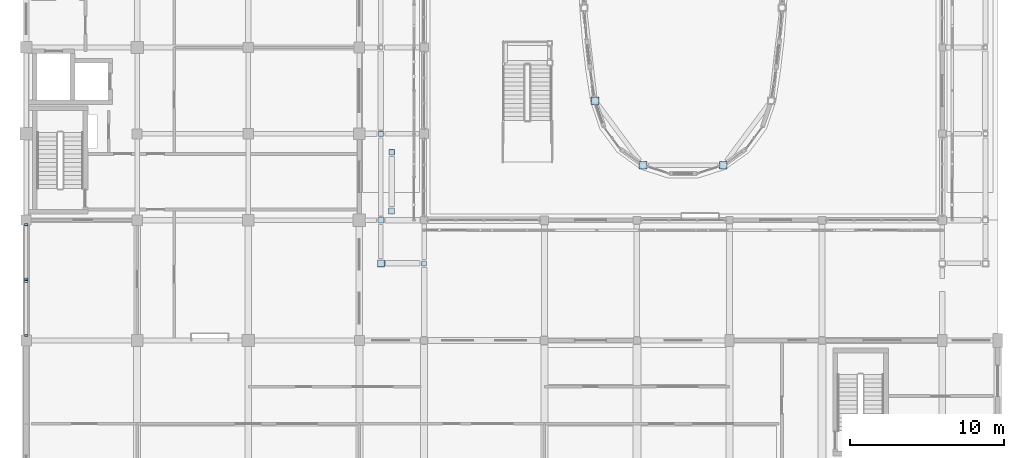
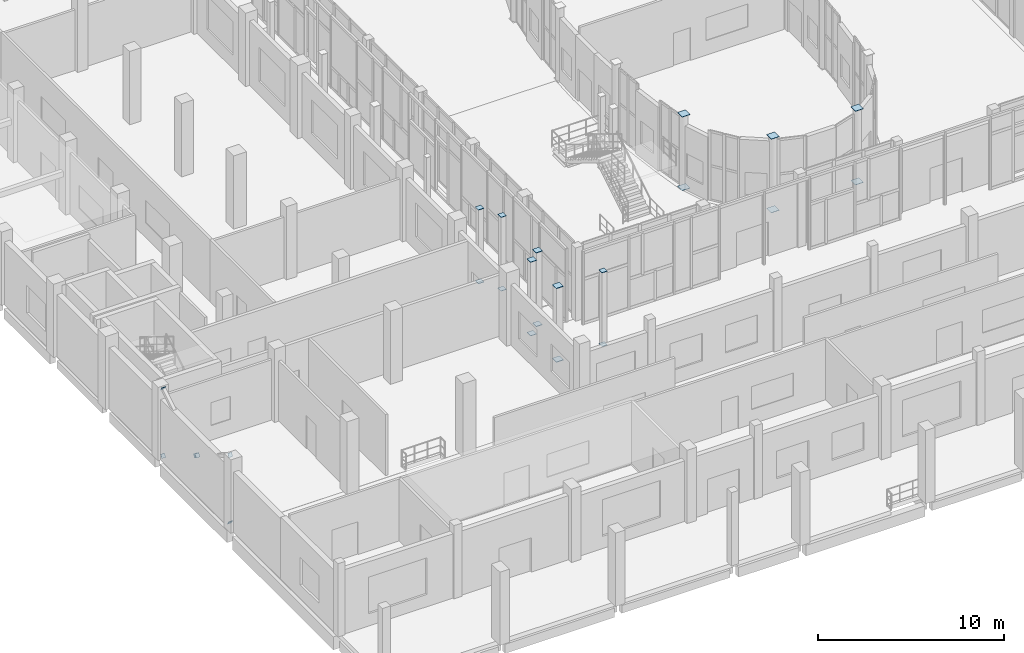
# One storey, part 59 of 91: 24 plates.
"""IFC4 building model written with IfcOpenShell, lengths in metres."""

from ifc_helpers import new_model, si_unit, direction, frame, origin, origin_2d, place, context, subcontext, project, spatial, rectangle, extrude, material, material_profile, profile_set, type_object, element, save


model = new_model("IFC4")

# Units and contexts
model_context = context("Model", 3, precision=1e-05, world=origin(), true_north=direction((0.0, 1.0)))
body_context = subcontext(model_context, "Body", "Model", "MODEL_VIEW")
ifc_project = project(units=[si_unit("LENGTHUNIT", "METRE"), si_unit("AREAUNIT", "SQUARE_METRE"), si_unit("VOLUMEUNIT", "CUBIC_METRE"), si_unit("PLANEANGLEUNIT", "RADIAN"), si_unit("MASSUNIT", "GRAM", prefix="KILO")], contexts=[model_context])

# Site, building, storey
site_placement = place(None, origin())
site = spatial("IfcSite", under=ifc_project, at=site_placement, CompositionType="ELEMENT")
building_placement = place(site_placement, origin())
building = spatial("IfcBuilding", under=site, at=building_placement, Name="Vinh Khe Railworks Police Headquarters", CompositionType="ELEMENT")
storey_placement = place(building_placement, origin())
storey = spatial("IfcBuildingStorey", under=building, at=storey_placement, Name="L00", CompositionType="ELEMENT", Elevation=0.0)

# Plates
ifc_material = material(Name="Steel S355JR", Category="steel")
ifc_material_profile_1 = material_profile(ifc_material, rectangle(XDim=0.239990234375, YDim=0.239990234375, at=origin_2d()), Name="PL 240x240")
ifc_profile_set_1 = profile_set([ifc_material_profile_1], Name="Steel S355JR")
plate_type_1 = type_object("IfcPlateType", Name="Steel End-Cap Plate 240x240x24", PredefinedType="SHEET", material=ifc_profile_set_1)
for number, where, z_axis, x_axis, name in (
    (1, (0.60009765625, 17.72998046875, 0.199951171875), (0.0, -0.854787515222, -0.518978134242), (1.0, 0.0, 0.0), "End-Cap Gusset Plate PLT-EP-0013"),
    (2, (0.60009765625, 17.72998046875, 4.60009765625), (0.0, -0.854787515222, 0.518978134242), (1.0, 0.0, 0.0), "End-Cap Gusset Plate PLT-EP-0014"),
    (3, (0.60009765625, 21.223876953125, 2.454345703125), (0.0, 0.854787515222, -0.518978134242), (-1.0, 0.0, 0.0), "End-Cap Gusset Plate PLT-EP-0020"),
    (4, (0.60009765625, 21.401123046875, 2.345703125), (0.0, -0.854787515222, 0.518978134242), (1.0, 0.0, 0.0), "End-Cap Gusset Plate PLT-EP-0029"),
    (5, (0.60009765625, 24.89501953125, 0.199951171875), (0.0, 0.854787515222, -0.518978134242), (-1.0, 0.0, 0.0), "End-Cap Gusset Plate PLT-EP-0033"),
    (6, (0.60009765625, 24.89501953125, 4.60009765625), (0.0, 0.854787515222, 0.518978134242), (-1.0, 0.0, 0.0), "End-Cap Gusset Plate PLT-EP-0034"),
):
    element("IfcPlate", number, at=place(storey_placement, frame(where, z_axis=z_axis, x_axis=x_axis)), inside=storey, type_object=plate_type_1, Name=name, PredefinedType="SHEET", context=body_context, shape_type="SweptSolid", body=[
        extrude(rectangle(XDim=0.239990234375, YDim=0.239990234375, at=origin_2d()), origin(), (0.0, 0.0, 1.0), 0.02392578125),
    ])
ifc_material_profile_2 = material_profile(ifc_material, rectangle(XDim=0.340087890625, YDim=0.340087890625, at=origin_2d()), Name="PL 340x340")
ifc_profile_set_2 = profile_set([ifc_material_profile_2], Name="Steel S355JR")
plate_type_2 = type_object("IfcPlateType", Name="Steel End-Cap Plate 340x340x24", PredefinedType="SHEET", material=ifc_profile_set_2)
for number, where, z_axis, x_axis, name in (
    (7, (23.60009765625, 30.800048828125, 0.0), (0.0, 0.0, -1.0), (1.0, 0.0, 0.0), "End-Cap Gusset Plate PLT-EP-0150"),
    (8, (23.60009765625, 30.800048828125, 4.800048828125), (0.0, 0.0, 1.0), (1.0, 0.0, 0.0), "End-Cap Gusset Plate PLT-EP-0152"),
    (9, (24.300048828125, 29.60009765625, 0.0), (0.0, 0.0, -1.0), (1.0, 0.0, 0.0), "End-Cap Gusset Plate PLT-EP-0217"),
    (10, (24.300048828125, 29.60009765625, 4.800048828125), (0.0, 0.0, 1.0), (1.0, 0.0, 0.0), "End-Cap Gusset Plate PLT-EP-0219"),
    (11, (26.39990234375, 22.39990234375, 0.0), (0.0, 0.0, -1.0), (1.0, 0.0, 0.0), "End-Cap Gusset Plate PLT-EP-0223"),
    (12, (26.39990234375, 22.39990234375, 4.800048828125), (0.0, 0.0, 1.0), (1.0, 0.0, 0.0), "End-Cap Gusset Plate PLT-EP-0225"),
):
    element("IfcPlate", number, at=place(storey_placement, frame(where, z_axis=z_axis, x_axis=x_axis)), inside=storey, type_object=plate_type_2, Name=name, PredefinedType="SHEET", context=body_context, shape_type="SweptSolid", body=[
        extrude(rectangle(XDim=0.340087890625, YDim=0.340087890625, at=origin_2d()), origin(), (0.0, 0.0, 1.0), 0.02392578125),
    ])
ifc_material_profile_3 = material_profile(ifc_material, rectangle(XDim=0.389892578125, YDim=0.389892578125, at=origin_2d()), Name="PL 390x390")
ifc_profile_set_3 = profile_set([ifc_material_profile_3], Name="Steel S355JR")
plate_type_3 = type_object("IfcPlateType", Name="Steel End-Cap Plate 390x390x24", PredefinedType="SHEET", material=ifc_profile_set_3)
for number, where, z_axis, x_axis, name in (
    (13, (23.60009765625, 25.199951171875, 0.0), (0.0, 0.0, -1.0), (1.0, 0.0, 0.0), "End-Cap Gusset Plate PLT-EP-0141"),
    (14, (23.60009765625, 25.199951171875, 4.800048828125), (0.0, 0.0, 1.0), (1.0, 0.0, 0.0), "End-Cap Gusset Plate PLT-EP-0143"),
    (15, (24.300048828125, 25.800048828125, 0.0), (0.0, 0.0, -1.0), (1.0, 0.0, 0.0), "End-Cap Gusset Plate PLT-EP-0211"),
    (16, (24.300048828125, 25.800048828125, 4.800048828125), (0.0, 0.0, 1.0), (1.0, 0.0, 0.0), "End-Cap Gusset Plate PLT-EP-0213"),
):
    element("IfcPlate", number, at=place(storey_placement, frame(where, z_axis=z_axis, x_axis=x_axis)), inside=storey, type_object=plate_type_3, Name=name, PredefinedType="SHEET", context=body_context, shape_type="SweptSolid", body=[
        extrude(rectangle(XDim=0.389892578125, YDim=0.389892578125, at=origin_2d()), origin(), (0.0, 0.0, 1.0), 0.02392578125),
    ])
ifc_material_profile_4 = material_profile(ifc_material, rectangle(XDim=0.43994140625, YDim=0.43994140625, at=origin_2d()), Name="PL 440x440")
ifc_profile_set_4 = profile_set([ifc_material_profile_4], Name="Steel S355JR")
plate_type_4 = type_object("IfcPlateType", Name="Steel End-Cap Plate 440x440x24", PredefinedType="SHEET", material=ifc_profile_set_4)
for number, where, z_axis, x_axis, name in (
    (17, (23.60009765625, 22.39990234375, 0.0), (0.0, 0.0, -1.0), (1.0, 0.0, 0.0), "End-Cap Gusset Plate PLT-EP-0133"),
    (18, (23.60009765625, 22.39990234375, 4.800048828125), (0.0, 0.0, 1.0), (1.0, 0.0, 0.0), "End-Cap Gusset Plate PLT-EP-0135"),
):
    element("IfcPlate", number, at=place(storey_placement, frame(where, z_axis=z_axis, x_axis=x_axis)), inside=storey, type_object=plate_type_4, Name=name, PredefinedType="SHEET", context=body_context, shape_type="SweptSolid", body=[
        extrude(rectangle(XDim=0.43994140625, YDim=0.43994140625, at=origin_2d()), origin(), (0.0, 0.0, 1.0), 0.02392578125),
    ])
ifc_material_profile_5 = material_profile(ifc_material, rectangle(XDim=0.4970703125, YDim=0.4970703125, at=origin_2d()), Name="PL 497x497")
ifc_profile_set_5 = profile_set([ifc_material_profile_5], Name="Steel S355JR")
plate_type_5 = type_object("IfcPlateType", Name="Steel End-Cap Plate 497x497x24", PredefinedType="SHEET", material=ifc_profile_set_5)
for number, where, z_axis, x_axis, name in (
    (19, (37.48681640625, 32.944091796875, 0.0), (0.0, 0.0, -1.0), (1.0, 0.0, 0.0), "End-Cap Gusset Plate PLT-EP-0350"),
    (20, (37.48681640625, 32.944091796875, 4.800048828125), (0.0, 0.0, 1.0), (1.0, 0.0, 0.0), "End-Cap Gusset Plate PLT-EP-0352"),
    (21, (40.594970703125, 28.762451171875, 0.0), (0.0, 0.0, -1.0), (1.0, 0.0, 0.0), "End-Cap Gusset Plate PLT-EP-0396"),
    (22, (40.594970703125, 28.762451171875, 4.800048828125), (0.0, 0.0, 1.0), (1.0, 0.0, 0.0), "End-Cap Gusset Plate PLT-EP-0398"),
    (23, (45.80517578125, 28.762451171875, 0.0), (0.0, 0.0, -1.0), (1.0, 0.0, 0.0), "End-Cap Gusset Plate PLT-EP-0426"),
    (24, (45.80517578125, 28.762451171875, 4.800048828125), (0.0, 0.0, 1.0), (1.0, 0.0, 0.0), "End-Cap Gusset Plate PLT-EP-0428"),
):
    element("IfcPlate", number, at=place(storey_placement, frame(where, z_axis=z_axis, x_axis=x_axis)), inside=storey, type_object=plate_type_5, Name=name, PredefinedType="SHEET", context=body_context, shape_type="SweptSolid", body=[
        extrude(rectangle(XDim=0.4970703125, YDim=0.4970703125, at=origin_2d()), origin(), (0.0, 0.0, 1.0), 0.02392578125),
    ])

save(model, "model.ifc")
